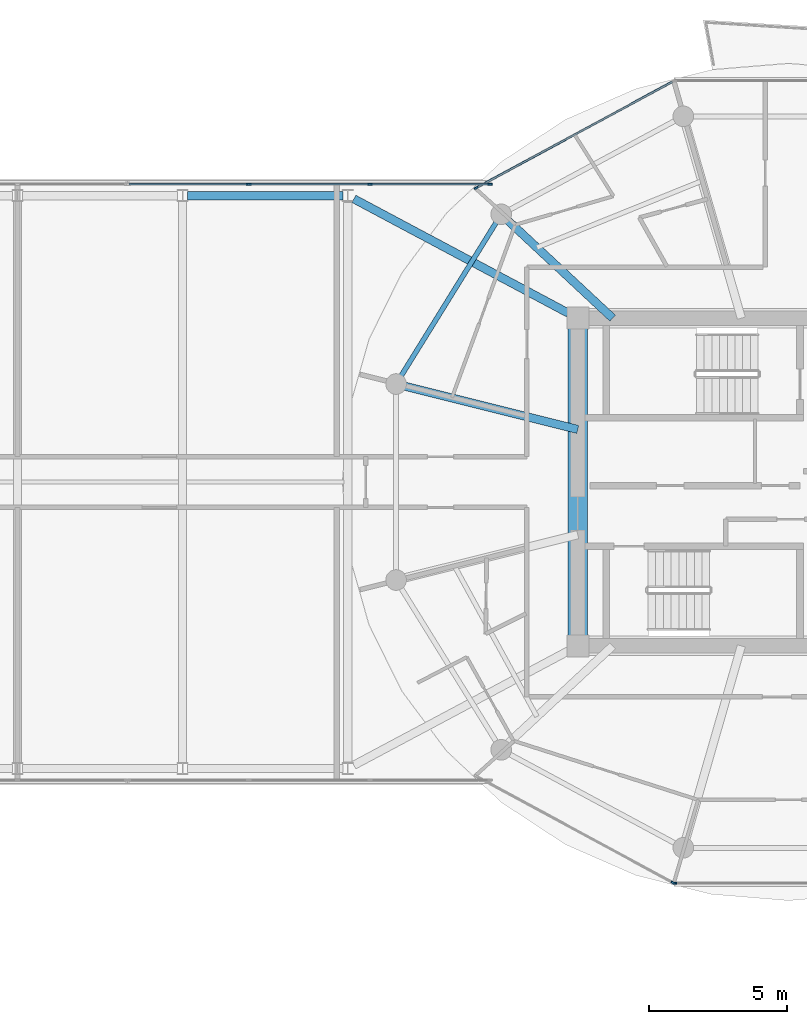
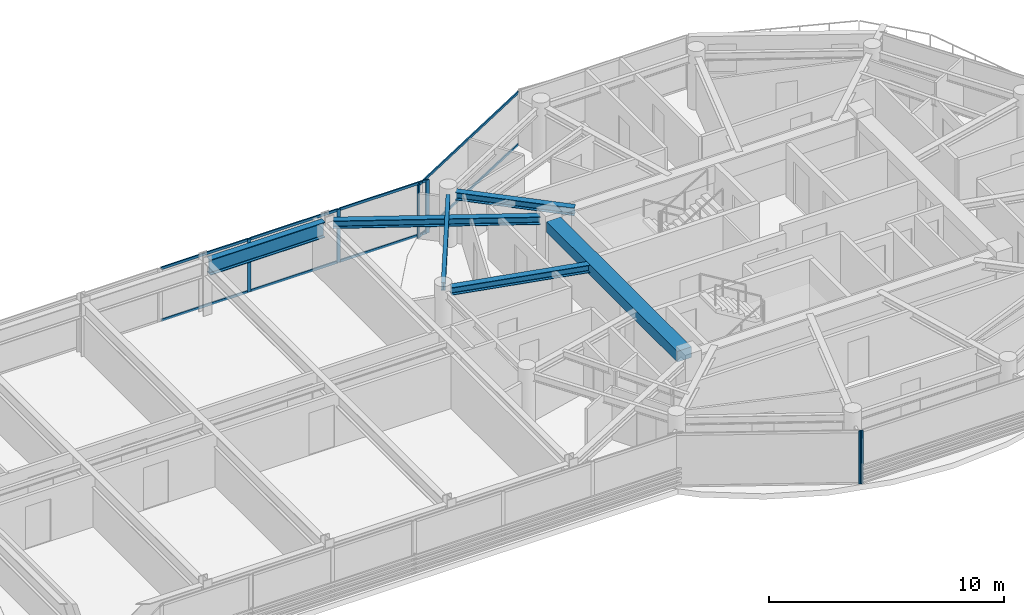
# One storey, part 8 of 23: 14 members, 6 beams, 4 elements without a shape of their own.
"""IFC4 building model written with IfcOpenShell, lengths in metres."""

from ifc_helpers import new_model, si_unit, direction, frame, origin, origin_2d, place, context, subcontext, project, spatial, rectangle, i_section, extrude, source, transform, mapped, material, layer, layer_set, material_profile, profile_set, type_object, type_shapes, element, aggregate, save


model = new_model("IFC4")

# Units and contexts
model_context = context("Model", 3, precision=1e-05, world=origin(), true_north=direction((0.0, 1.0)))
body_context = subcontext(model_context, "Body", "Model", "MODEL_VIEW")
ifc_project = project(units=[si_unit("LENGTHUNIT", "METRE"), si_unit("AREAUNIT", "SQUARE_METRE"), si_unit("VOLUMEUNIT", "CUBIC_METRE"), si_unit("PLANEANGLEUNIT", "RADIAN"), si_unit("MASSUNIT", "GRAM", prefix="KILO")], contexts=[model_context])

# Site, building, storey
site_placement = place(None, origin())
site = spatial("IfcSite", under=ifc_project, at=site_placement, CompositionType="ELEMENT")
building_placement = place(site_placement, origin())
building = spatial("IfcBuilding", under=site, at=building_placement, Name="Norrkilde Senior Care Towers", CompositionType="ELEMENT")
storey_placement = place(building_placement, frame((0.0, 0.0, 220.0)))
storey = spatial("IfcBuildingStorey", under=building, at=storey_placement, Name="L68", CompositionType="ELEMENT", Elevation=220.0)

# Beams
ifc_material_1 = material(Name="Concrete C60/75", Category="concrete")
ifc_material_profile_1 = material_profile(ifc_material_1, rectangle(XDim=0.699951171875, YDim=0.550048828125, at=origin_2d()), Name="RC BM 700x550")
ifc_profile_set_1 = profile_set([ifc_material_profile_1], Name="Concrete C60/75")
beam_type_1 = type_object("IfcBeamType", Name="Core Portal Coupling Beam 700x550", PredefinedType="USERDEFINED", material=ifc_profile_set_1)
shared_shape_1 = source(origin(), body_context, "Body", "SweptSolid", [
    extrude(rectangle(XDim=0.699951171875, YDim=0.550048828125, at=origin_2d()), origin(), (0.0, 0.0, 1.0), 11.14013671875),
])
type_shapes(beam_type_1, [shared_shape_1])
beam_1_placement = place(storey_placement, frame((20.35009765625, -5.570068359375, 2.485107421875), z_axis=(0.0, 1.0, 0.0), x_axis=(-1.0, 0.0, 0.0)))
element("IfcBeam", 1, at=beam_1_placement, inside=storey, type_object=beam_type_1, Name="L68 Core E W Coupling Girder", ObjectType="GIRDER", PredefinedType="USERDEFINED", context=body_context, shape_type="MappedRepresentation", body=[
    mapped(shared_shape_1, transform((0.0, 0.0, 0.0), x_axis=(1.0, 0.0, 0.0), y_axis=(0.0, 1.0, 0.0), z_axis=(0.0, 0.0, 1.0), scale=1.0)),
])
ifc_material_2 = material(Name="Steel S355", Category="steel")
ifc_material_profile_2 = material_profile(ifc_material_2, i_section(OverallWidth=0.179931640625, OverallDepth=0.39990234375, WebThickness=0.008544921875, FlangeThickness=0.013427734375, FilletRadius=0.02099609375, at=origin_2d()), Name="IPE 400")
ifc_profile_set_2 = profile_set([ifc_material_profile_2], Name="Steel S355")
beam_type_2 = type_object("IfcBeamType", Name="Perimeter Ring Spandrel Z4 IPE400", PredefinedType="SPANDREL", material=ifc_profile_set_2)
shared_shape_2 = source(origin(), body_context, "Body", "SweptSolid", [
    extrude(i_section(OverallWidth=0.179931640625, OverallDepth=0.39990234375, WebThickness=0.008544921875, FlangeThickness=0.013427734375, FilletRadius=0.02099609375, at=origin_2d()), origin(), (0.0, 0.0, 1.0), 6.58056640625),
])
type_shapes(beam_type_2, [shared_shape_2])
beam_2_placement = place(storey_placement, frame((17.393798828125, 9.43798828125, 2.56005859375), z_axis=(-0.526529583789, -0.850156807533, 0.0), x_axis=(0.850156807533, -0.526529583789, 0.0)))
element("IfcBeam", 2, at=beam_2_placement, inside=storey, type_object=beam_type_2, Name="L68 Drum E Perimeter Spandrel 05", PredefinedType="SPANDREL", context=body_context, shape_type="MappedRepresentation", body=[
    mapped(shared_shape_2, transform((0.0, 0.0, 0.0), x_axis=(1.0, 0.0, 0.0), y_axis=(0.0, 1.0, 0.0), z_axis=(0.0, 0.0, 1.0), scale=1.0)),
])
ifc_material_profile_3 = material_profile(ifc_material_2, i_section(OverallWidth=0.300048828125, OverallDepth=0.39990234375, WebThickness=0.013427734375, FlangeThickness=0.02392578125, FilletRadius=0.027099609375, at=origin_2d()), Name="HEB 400")
ifc_profile_set_3 = profile_set([ifc_material_profile_3], Name="Steel S355")
beam_type_3 = type_object("IfcBeamType", Name="Radial Floor Beam Z4 HEB400", PredefinedType="BEAM", material=ifc_profile_set_3)
shared_shape_3 = source(origin(), body_context, "Body", "SweptSolid", [
    extrude(i_section(OverallWidth=0.300048828125, OverallDepth=0.39990234375, WebThickness=0.013427734375, FlangeThickness=0.02392578125, FilletRadius=0.027099609375, at=origin_2d()), origin(), (0.0, 0.0, 1.0), 6.465087890625),
])
beam_3_placement = place(storey_placement, frame((20.35009765625, 1.910888671875, 2.56005859375), z_axis=(-0.970195788563, 0.242322371758, 0.0), x_axis=(-0.242322371758, -0.970195788563, 0.0)))
element("IfcBeam", 3, at=beam_3_placement, inside=storey, type_object=beam_type_3, Name="L68 Drum E Radial Floor Beam 06", PredefinedType="BEAM", context=body_context, shape_type="MappedRepresentation", body=[
    mapped(shared_shape_3, transform((0.0, 0.0, 0.0), x_axis=(1.0, 0.0, 0.0), y_axis=(0.0, 1.0, 0.0), z_axis=(0.0, 0.0, 1.0), scale=1.0)),
])
shared_shape_4 = source(origin(), body_context, "Body", "SweptSolid", [
    extrude(i_section(OverallWidth=0.300048828125, OverallDepth=0.39990234375, WebThickness=0.013427734375, FlangeThickness=0.02392578125, FilletRadius=0.027099609375, at=origin_2d()), origin(), (0.0, 0.0, 1.0), 5.197998046875),
])
beam_4_placement = place(storey_placement, frame((21.6171875, 5.949951171875, 2.56005859375), z_axis=(-0.731448749334, 0.681896419625, 0.0), x_axis=(-0.681896419625, -0.731448749334, 0.0)))
element("IfcBeam", 4, at=beam_4_placement, inside=storey, type_object=beam_type_3, Name="L68 Drum E Radial Floor Beam 05", PredefinedType="BEAM", context=body_context, shape_type="MappedRepresentation", body=[
    mapped(shared_shape_4, transform((0.0, 0.0, 0.0), x_axis=(1.0, 0.0, 0.0), y_axis=(0.0, 1.0, 0.0), z_axis=(0.0, 0.0, 1.0), scale=1.0)),
])
shared_shape_5 = source(origin(), body_context, "Body", "SweptSolid", [
    extrude(i_section(OverallWidth=0.300048828125, OverallDepth=0.39990234375, WebThickness=0.013427734375, FlangeThickness=0.02392578125, FilletRadius=0.027099609375, at=origin_2d()), origin(), (0.0, 0.0, 1.0), 8.831787109375),
])
type_shapes(beam_type_3, [shared_shape_3, shared_shape_4, shared_shape_5])
beam_5_placement = place(storey_placement, frame((12.220703125, 10.282470703125, 2.56005859375), z_axis=(0.882492172381, -0.470327083727, 0.0), x_axis=(0.470327083727, 0.882492172381, 0.0)))
element("IfcBeam", 5, at=beam_5_placement, inside=storey, type_object=beam_type_3, Name="L68 Sky-Gate Bridge Girder N6", PredefinedType="BEAM", context=body_context, shape_type="MappedRepresentation", body=[
    mapped(shared_shape_5, transform((0.0, 0.0, 0.0), x_axis=(1.0, 0.0, 0.0), y_axis=(0.0, 1.0, 0.0), z_axis=(0.0, 0.0, 1.0), scale=1.0)),
])
ifc_material_profile_4 = material_profile(ifc_material_2, i_section(OverallWidth=0.300048828125, OverallDepth=0.800048828125, WebThickness=0.017578125, FlangeThickness=0.032958984375, FilletRadius=0.030029296875, at=origin_2d()), Name="HEB 800")
ifc_profile_set_4 = profile_set([ifc_material_profile_4], Name="Steel S355")
beam_type_4 = type_object("IfcBeamType", Name="Bridge Floor Girder HEB800", PredefinedType="USERDEFINED", material=ifc_profile_set_4)
shared_shape_6 = source(origin(), body_context, "Body", "SweptSolid", [
    extrude(i_section(OverallWidth=0.300048828125, OverallDepth=0.800048828125, WebThickness=0.017578125, FlangeThickness=0.032958984375, FilletRadius=0.030029296875, at=origin_2d()), origin(), (0.0, 0.0, 1.0), 5.64013671875),
])
type_shapes(beam_type_4, [shared_shape_6])
beam_6_placement = place(storey_placement, frame((6.179931640625, 10.39990234375, 2.360107421875), z_axis=(1.0, 0.0, 0.0), x_axis=(0.0, 1.0, 0.0)))
element("IfcBeam", 6, at=beam_6_placement, inside=storey, type_object=beam_type_4, Name="L68 Sky-Gate Bridge Girder N5", ObjectType="GIRDER", PredefinedType="USERDEFINED", context=body_context, shape_type="MappedRepresentation", body=[
    mapped(shared_shape_6, transform((0.0, 0.0, 0.0), x_axis=(1.0, 0.0, 0.0), y_axis=(0.0, 1.0, 0.0), z_axis=(0.0, 0.0, 1.0), scale=1.0)),
])

# Curtain wall, members
ifc_material_3 = material(Name="Triple Low-E Insulated Glazing", Category="glass")
ifc_layer_1 = layer(ifc_material_3, 0.18505859375)
ifc_layer_set_1 = layer_set([ifc_layer_1], Name="Triple Low-E Insulated Glazing")
curtain_wall_type_1 = type_object("IfcCurtainWallType", Name="CW6 Zone 4 Crown Pavilion Curtain Wall", PredefinedType="NOTDEFINED", material=ifc_layer_set_1)
curtain_wall_1_placement = place(storey_placement, origin())
curtain_wall_1 = element("IfcCurtainWall", 7, at=curtain_wall_1_placement, inside=storey, type_object=curtain_wall_type_1, Name="L68 Drum E Curtain Wall 03", PredefinedType="NOTDEFINED")
ifc_material_4 = material(Name="Anodised Aluminium", Category="aluminium")
ifc_material_profile_5 = material_profile(ifc_material_4, rectangle(XDim=0.06005859375, YDim=0.1201171875, at=origin_2d()), Name="ALU TRAN 60x120")
ifc_profile_set_5 = profile_set([ifc_material_profile_5], Name="Anodised Aluminium")
member_type_1 = type_object("IfcMemberType", Name="Curtain Wall Transom Typical 60x120", PredefinedType="USERDEFINED", material=ifc_profile_set_5)
shared_shape_7 = source(origin(), body_context, "Body", "SweptSolid", [
    extrude(rectangle(XDim=0.06005859375, YDim=0.1201171875, at=origin_2d()), origin(), (0.0, 0.0, 1.0), 8.0673828125),
])
type_shapes(member_type_1, [shared_shape_7])
member_1_placement = place(storey_placement, frame((16.686767578125, 10.694091796875, 0.030029296875), z_axis=(0.87937750072, 0.476125205411, 0.0), x_axis=(-0.476125205411, 0.87937750072, 0.0)))
member_1 = element("IfcMember", 8, at=member_1_placement, type_object=member_type_1, Name="CW-6 transom 1.1", ObjectType="TRANSOM", PredefinedType="USERDEFINED", context=body_context, shape_type="MappedRepresentation", body=[
    mapped(shared_shape_7, transform((0.0, 0.0, 0.0), x_axis=(1.0, 0.0, 0.0), y_axis=(0.0, 1.0, 0.0), z_axis=(0.0, 0.0, 1.0), scale=1.0)),
])
member_2_placement = place(storey_placement, frame((16.686767578125, 10.694091796875, 2.72998046875), z_axis=(0.87937750072, 0.476125205411, 0.0), x_axis=(-0.476125205411, 0.87937750072, 0.0)))
member_2 = element("IfcMember", 9, at=member_2_placement, type_object=member_type_1, Name="CW-6 transom 1.2", ObjectType="TRANSOM", PredefinedType="USERDEFINED", context=body_context, shape_type="MappedRepresentation", body=[
    mapped(shared_shape_7, transform((0.0, 0.0, 0.0), x_axis=(1.0, 0.0, 0.0), y_axis=(0.0, 1.0, 0.0), z_axis=(0.0, 0.0, 1.0), scale=1.0)),
])
ifc_material_profile_6 = material_profile(ifc_material_4, rectangle(XDim=0.06494140625, YDim=0.14990234375, at=origin_2d()), Name="ALU MULL 65x150")
ifc_profile_set_6 = profile_set([ifc_material_profile_6], Name="Anodised Aluminium")
member_type_2 = type_object("IfcMemberType", Name="Curtain Wall Mullion Z3-Z4 65x150", PredefinedType="MULLION", material=ifc_profile_set_6)
shared_shape_8 = source(origin(), body_context, "Body", "SweptSolid", [
    extrude(rectangle(XDim=0.06494140625, YDim=0.14990234375, at=origin_2d()), origin(), (0.0, 0.0, 1.0), 2.760009765625),
])
type_shapes(member_type_2, [shared_shape_8])
member_3_placement = place(storey_placement, frame((16.658203125, 10.6787109375, 0.0), z_axis=(0.0, 0.0, 1.0), x_axis=(-0.476132676136, 0.879373455772, 0.0)))
member_3 = element("IfcMember", 10, at=member_3_placement, type_object=member_type_2, Name="CW-6 mullion 1", PredefinedType="MULLION", context=body_context, shape_type="MappedRepresentation", body=[
    mapped(shared_shape_8, transform((0.0, 0.0, 0.0), x_axis=(1.0, 0.0, 0.0), y_axis=(0.0, 1.0, 0.0), z_axis=(0.0, 0.0, 1.0), scale=1.0)),
])
aggregate(curtain_wall_1, [member_3, member_1, member_2])

# Curtain wall, member
curtain_wall_2_placement = place(storey_placement, origin())
curtain_wall_2 = element("IfcCurtainWall", 11, at=curtain_wall_2_placement, inside=storey, type_object=curtain_wall_type_1, Name="L68 Drum E Curtain Wall 07", PredefinedType="NOTDEFINED")
member_4_placement = place(storey_placement, frame((23.8095703125, -14.55078125, 0.0), z_axis=(0.0, 0.0, 1.0), x_axis=(-0.476132676136, -0.879373455772, 0.0)))
member_4 = element("IfcMember", 12, at=member_4_placement, type_object=member_type_2, Name="CW-6 mullion 1", PredefinedType="MULLION", context=body_context, shape_type="MappedRepresentation", body=[
    mapped(shared_shape_8, transform((0.0, 0.0, 0.0), x_axis=(1.0, 0.0, 0.0), y_axis=(0.0, 1.0, 0.0), z_axis=(0.0, 0.0, 1.0), scale=1.0)),
])
aggregate(curtain_wall_2, [member_4])

curtain_wall_3_placement = place(storey_placement, origin())
curtain_wall_3 = element("IfcCurtainWall", 13, at=curtain_wall_3_placement, inside=storey, type_object=curtain_wall_type_1, Name="L68 Drum E Curtain Wall 08", PredefinedType="NOTDEFINED")
member_5_placement = place(storey_placement, frame((23.87060546875, -14.566162109375, 0.0), z_axis=(0.0, 0.0, 1.0), x_axis=(0.0, -1.0, 0.0)))
member_5 = element("IfcMember", 14, at=member_5_placement, type_object=member_type_2, Name="CW-6 mullion 2", PredefinedType="MULLION", context=body_context, shape_type="MappedRepresentation", body=[
    mapped(shared_shape_8, transform((0.0, 0.0, 0.0), x_axis=(1.0, 0.0, 0.0), y_axis=(0.0, 1.0, 0.0), z_axis=(0.0, 0.0, 1.0), scale=1.0)),
])
aggregate(curtain_wall_3, [member_5])

# Curtain wall, members
ifc_layer_2 = layer(ifc_material_3, 0.2099609375)
ifc_layer_set_2 = layer_set([ifc_layer_2], Name="Triple Low-E Insulated Glazing")
curtain_wall_type_2 = type_object("IfcCurtainWallType", Name="CW5 Sky-Gate Bridge Curtain Wall", PredefinedType="NOTDEFINED", material=ifc_layer_set_2)
curtain_wall_4_placement = place(storey_placement, origin())
curtain_wall_4 = element("IfcCurtainWall", 15, at=curtain_wall_4_placement, inside=storey, type_object=curtain_wall_type_2, Name="L68 Sky-Gate Bridge North Curtain Wall 3", PredefinedType="NOTDEFINED")
ifc_material_profile_7 = material_profile(ifc_material_4, rectangle(XDim=0.06494140625, YDim=0.1298828125, at=origin_2d()), Name="ALU TRAN 65x130")
ifc_profile_set_7 = profile_set([ifc_material_profile_7], Name="Anodised Aluminium")
member_type_3 = type_object("IfcMemberType", Name="Curtain Wall Transom Heavy 65x130", PredefinedType="USERDEFINED", material=ifc_profile_set_7)
shared_shape_9 = source(origin(), body_context, "Body", "SweptSolid", [
    extrude(rectangle(XDim=0.06494140625, YDim=0.1298828125, at=origin_2d()), origin(), (0.0, 0.0, 1.0), 4.294921875),
])
member_6_placement = place(storey_placement, frame((4.070068359375, 10.820068359375, 0.032470703125), z_axis=(1.0, 0.0, 0.0), x_axis=(0.0, 1.0, 0.0)))
member_6 = element("IfcMember", 16, at=member_6_placement, type_object=member_type_3, Name="CW-5 transom 1.1", ObjectType="TRANSOM", PredefinedType="USERDEFINED", context=body_context, shape_type="MappedRepresentation", body=[
    mapped(shared_shape_9, transform((0.0, 0.0, 0.0), x_axis=(1.0, 0.0, 0.0), y_axis=(0.0, 1.0, 0.0), z_axis=(0.0, 0.0, 1.0), scale=1.0)),
])
member_7_placement = place(storey_placement, frame((4.070068359375, 10.820068359375, 2.7275390625), z_axis=(1.0, 0.0, 0.0), x_axis=(0.0, 1.0, 0.0)))
member_7 = element("IfcMember", 17, at=member_7_placement, type_object=member_type_3, Name="CW-5 transom 1.2", ObjectType="TRANSOM", PredefinedType="USERDEFINED", context=body_context, shape_type="MappedRepresentation", body=[
    mapped(shared_shape_9, transform((0.0, 0.0, 0.0), x_axis=(1.0, 0.0, 0.0), y_axis=(0.0, 1.0, 0.0), z_axis=(0.0, 0.0, 1.0), scale=1.0)),
])
member_8_placement = place(storey_placement, frame((12.8349609375, 10.820068359375, 0.032470703125), z_axis=(1.0, 0.0, 0.0), x_axis=(0.0, 1.0, 0.0)))
member_8 = element("IfcMember", 18, at=member_8_placement, type_object=member_type_3, Name="CW-5 transom 3.1", ObjectType="TRANSOM", PredefinedType="USERDEFINED", context=body_context, shape_type="MappedRepresentation", body=[
    mapped(shared_shape_9, transform((0.0, 0.0, 0.0), x_axis=(1.0, 0.0, 0.0), y_axis=(0.0, 1.0, 0.0), z_axis=(0.0, 0.0, 1.0), scale=1.0)),
])
member_9_placement = place(storey_placement, frame((12.8349609375, 10.820068359375, 2.7275390625), z_axis=(1.0, 0.0, 0.0), x_axis=(0.0, 1.0, 0.0)))
member_9 = element("IfcMember", 19, at=member_9_placement, type_object=member_type_3, Name="CW-5 transom 3.2", ObjectType="TRANSOM", PredefinedType="USERDEFINED", context=body_context, shape_type="MappedRepresentation", body=[
    mapped(shared_shape_9, transform((0.0, 0.0, 0.0), x_axis=(1.0, 0.0, 0.0), y_axis=(0.0, 1.0, 0.0), z_axis=(0.0, 0.0, 1.0), scale=1.0)),
])
shared_shape_10 = source(origin(), body_context, "Body", "SweptSolid", [
    extrude(rectangle(XDim=0.06494140625, YDim=0.1298828125, at=origin_2d()), origin(), (0.0, 0.0, 1.0), 4.329833984375),
])
type_shapes(member_type_3, [shared_shape_9, shared_shape_10])
member_10_placement = place(storey_placement, frame((8.43505859375, 10.820068359375, 0.032470703125), z_axis=(1.0, 0.0, 0.0), x_axis=(0.0, 1.0, 0.0)))
member_10 = element("IfcMember", 20, at=member_10_placement, type_object=member_type_3, Name="CW-5 transom 2.1", ObjectType="TRANSOM", PredefinedType="USERDEFINED", context=body_context, shape_type="MappedRepresentation", body=[
    mapped(shared_shape_10, transform((0.0, 0.0, 0.0), x_axis=(1.0, 0.0, 0.0), y_axis=(0.0, 1.0, 0.0), z_axis=(0.0, 0.0, 1.0), scale=1.0)),
])
member_11_placement = place(storey_placement, frame((8.43505859375, 10.820068359375, 2.7275390625), z_axis=(1.0, 0.0, 0.0), x_axis=(0.0, 1.0, 0.0)))
member_11 = element("IfcMember", 21, at=member_11_placement, type_object=member_type_3, Name="CW-5 transom 2.2", ObjectType="TRANSOM", PredefinedType="USERDEFINED", context=body_context, shape_type="MappedRepresentation", body=[
    mapped(shared_shape_10, transform((0.0, 0.0, 0.0), x_axis=(1.0, 0.0, 0.0), y_axis=(0.0, 1.0, 0.0), z_axis=(0.0, 0.0, 1.0), scale=1.0)),
])
ifc_material_profile_8 = material_profile(ifc_material_4, rectangle(XDim=0.070068359375, YDim=0.169921875, at=origin_2d()), Name="ALU MULL 70x170")
ifc_profile_set_8 = profile_set([ifc_material_profile_8], Name="Anodised Aluminium")
member_type_4 = type_object("IfcMemberType", Name="Curtain Wall Mullion Heavy 70x170", PredefinedType="MULLION", material=ifc_profile_set_8)
shared_shape_11 = source(origin(), body_context, "Body", "SweptSolid", [
    extrude(rectangle(XDim=0.070068359375, YDim=0.169921875, at=origin_2d()), origin(), (0.0, 0.0, 1.0), 2.760009765625),
])
type_shapes(member_type_4, [shared_shape_11])
member_12_placement = place(storey_placement, frame((8.39990234375, 10.820068359375, 0.0), z_axis=(0.0, 0.0, 1.0), x_axis=(0.0, 1.0, 0.0)))
member_12 = element("IfcMember", 22, at=member_12_placement, type_object=member_type_4, Name="CW-5 mullion 2", PredefinedType="MULLION", context=body_context, shape_type="MappedRepresentation", body=[
    mapped(shared_shape_11, transform((0.0, 0.0, 0.0), x_axis=(1.0, 0.0, 0.0), y_axis=(0.0, 1.0, 0.0), z_axis=(0.0, 0.0, 1.0), scale=1.0)),
])
member_13_placement = place(storey_placement, frame((12.800048828125, 10.820068359375, 0.0), z_axis=(0.0, 0.0, 1.0), x_axis=(0.0, 1.0, 0.0)))
member_13 = element("IfcMember", 23, at=member_13_placement, type_object=member_type_4, Name="CW-5 mullion 3", PredefinedType="MULLION", context=body_context, shape_type="MappedRepresentation", body=[
    mapped(shared_shape_11, transform((0.0, 0.0, 0.0), x_axis=(1.0, 0.0, 0.0), y_axis=(0.0, 1.0, 0.0), z_axis=(0.0, 0.0, 1.0), scale=1.0)),
])
member_14_placement = place(storey_placement, frame((17.1650390625, 10.820068359375, 0.0), z_axis=(0.0, 0.0, 1.0), x_axis=(0.0, 1.0, 0.0)))
member_14 = element("IfcMember", 24, at=member_14_placement, type_object=member_type_4, Name="CW-5 mullion 4", PredefinedType="MULLION", context=body_context, shape_type="MappedRepresentation", body=[
    mapped(shared_shape_11, transform((0.0, 0.0, 0.0), x_axis=(1.0, 0.0, 0.0), y_axis=(0.0, 1.0, 0.0), z_axis=(0.0, 0.0, 1.0), scale=1.0)),
])
aggregate(curtain_wall_4, [member_12, member_13, member_14, member_6, member_7, member_10, member_11, member_8, member_9])

save(model, "model.ifc")
